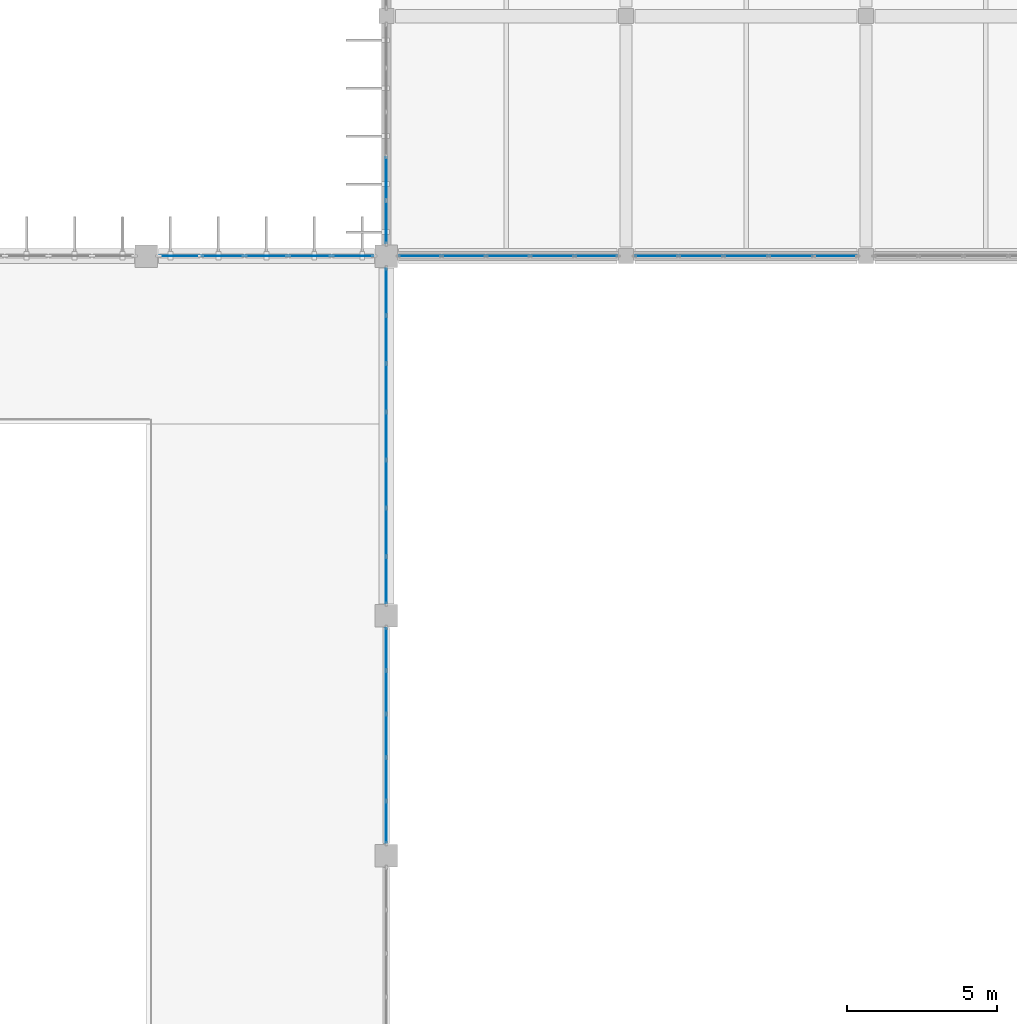
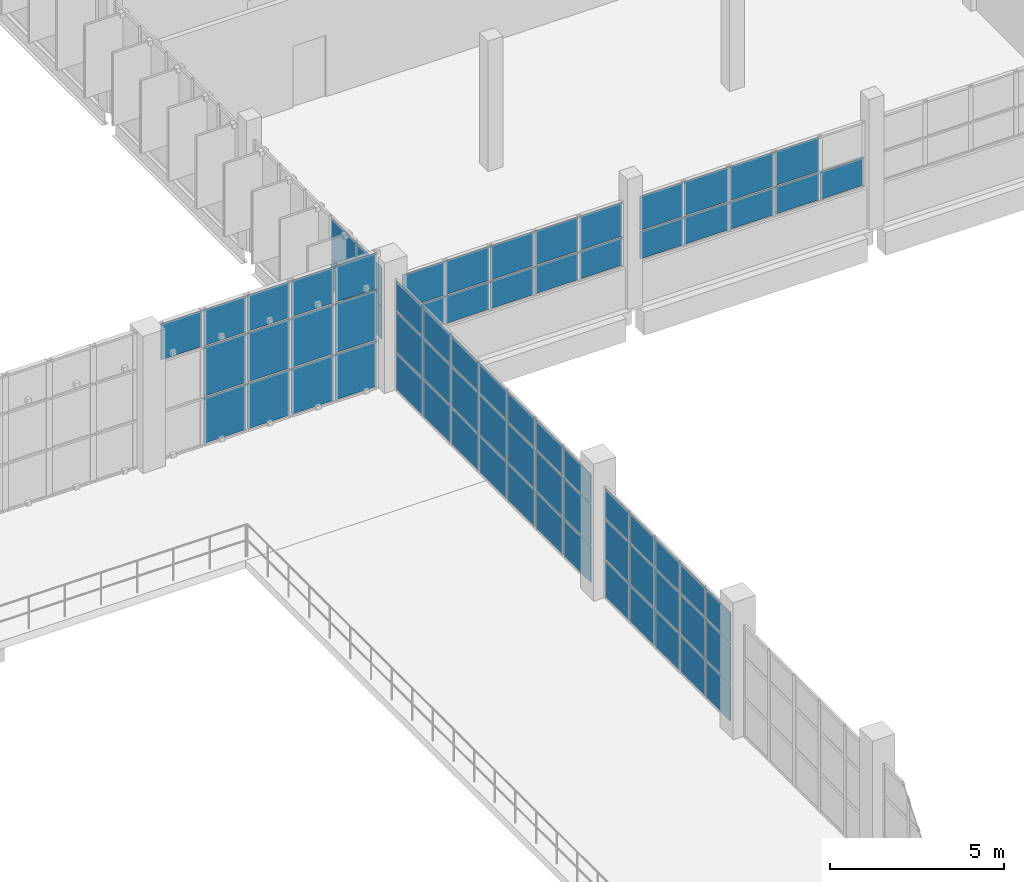
# One storey, part 57 of 93: 72 plates, 6 elements without a shape of their own.
"""IFC4 building model written with IfcOpenShell, lengths in metres."""

from ifc_helpers import new_model, si_unit, direction, frame, origin, origin_2d, place, context, subcontext, project, spatial, rectangle, extrude, material, layer, layer_set, type_object, element, aggregate, save


model = new_model("IFC4")

# Units and contexts
model_context = context("Model", 3, precision=1e-05, world=origin(), true_north=direction((0.0, 1.0)))
body_context = subcontext(model_context, "Body", "Model", "MODEL_VIEW")
ifc_project = project(units=[si_unit("LENGTHUNIT", "METRE"), si_unit("AREAUNIT", "SQUARE_METRE"), si_unit("VOLUMEUNIT", "CUBIC_METRE"), si_unit("PLANEANGLEUNIT", "RADIAN"), si_unit("MASSUNIT", "GRAM", prefix="KILO")], contexts=[model_context])

# Site, building, storey
site_placement = place(None, origin())
site = spatial("IfcSite", under=ifc_project, at=site_placement, CompositionType="ELEMENT")
building_placement = place(site_placement, origin())
building = spatial("IfcBuilding", under=site, at=building_placement, Name="Drelvana Railside Aquatics Centre", CompositionType="ELEMENT")
storey_placement = place(building_placement, frame((0.0, 0.0, 5.39990234375)))
storey = spatial("IfcBuildingStorey", under=building, at=storey_placement, Name="L01", CompositionType="ELEMENT", Elevation=5.39990234375)

# Curtain wall, plates
ifc_material_1 = material(Name="Bronze-anodised aluminium curtain wall", Category="aluminium")
ifc_layer_1 = layer(ifc_material_1, 0.179931640625, Name="Bronze-anodised aluminium curtain wall")
ifc_layer_set_1 = layer_set([ifc_layer_1], Name="Bronze-anodised aluminium curtain wall")
curtain_wall_type_1 = type_object("IfcCurtainWallType", Name="CW-Z2-CLER", PredefinedType="NOTDEFINED", material=ifc_layer_set_1)
curtain_wall_1_placement = place(storey_placement, origin())
curtain_wall_1 = element("IfcCurtainWall", 1, at=curtain_wall_1_placement, inside=storey, type_object=curtain_wall_type_1, Name="Curtain wall CW-02-026", PredefinedType="NOTDEFINED")
ifc_material_2 = material(Name="Double-glazed low-e solar-control glass", Category="glass")
ifc_layer_2 = layer(ifc_material_2, 0.028076171875, Name="Double-glazed low-e solar-control glass")
ifc_layer_set_2 = layer_set([ifc_layer_2], Name="Double-glazed low-e solar-control glass")
plate_type_1 = type_object("IfcPlateType", Name="CW-Z2-CLER-PAN", PredefinedType="CURTAIN_PANEL", material=ifc_layer_set_2)
plate_1_placement = place(storey_placement, frame((89.11279296875, 84.0, 3.474609375), z_axis=(0.0, 0.0, 1.0), x_axis=(1.0, 0.0, 0.0)))
plate_1 = element("IfcPlate", 2, at=plate_1_placement, type_object=plate_type_1, Name="CW-02 panel 1.3", PredefinedType="CURTAIN_PANEL", context=body_context, shape_type="SweptSolid", body=[
    extrude(rectangle(XDim=1.357421875, YDim=0.028076171875, at=origin_2d()), origin(), (0.0, 0.0, 1.0), 1.255615234375),
])
plate_2_placement = place(storey_placement, frame((90.547607421875, 84.0, 0.05419921875), z_axis=(0.0, 0.0, 1.0), x_axis=(1.0, 0.0, 0.0)))
plate_2 = element("IfcPlate", 3, at=plate_2_placement, type_object=plate_type_1, Name="CW-02 panel 2.1", PredefinedType="CURTAIN_PANEL", context=body_context, shape_type="SweptSolid", body=[
    extrude(rectangle(XDim=1.392333984375, YDim=0.028076171875, at=origin_2d()), origin(), (0.0, 0.0, 1.0), 1.591552734375),
])
plate_3_placement = place(storey_placement, frame((90.547607421875, 84.0, 1.70068359375), z_axis=(0.0, 0.0, 1.0), x_axis=(1.0, 0.0, 0.0)))
plate_3 = element("IfcPlate", 4, at=plate_3_placement, type_object=plate_type_1, Name="CW-02 panel 2.2", PredefinedType="CURTAIN_PANEL", context=body_context, shape_type="SweptSolid", body=[
    extrude(rectangle(XDim=1.392333984375, YDim=0.028076171875, at=origin_2d()), origin(), (0.0, 0.0, 1.0), 1.718994140625),
])
plate_4_placement = place(storey_placement, frame((90.547607421875, 84.0, 3.474609375), z_axis=(0.0, 0.0, 1.0), x_axis=(1.0, 0.0, 0.0)))
plate_4 = element("IfcPlate", 5, at=plate_4_placement, type_object=plate_type_1, Name="CW-02 panel 2.3", PredefinedType="CURTAIN_PANEL", context=body_context, shape_type="SweptSolid", body=[
    extrude(rectangle(XDim=1.392333984375, YDim=0.028076171875, at=origin_2d()), origin(), (0.0, 0.0, 1.0), 1.255615234375),
])
plate_5_placement = place(storey_placement, frame((92.0, 84.0, 0.05419921875), z_axis=(0.0, 0.0, 1.0), x_axis=(1.0, 0.0, 0.0)))
plate_5 = element("IfcPlate", 6, at=plate_5_placement, type_object=plate_type_1, Name="CW-02 panel 3.1", PredefinedType="CURTAIN_PANEL", context=body_context, shape_type="SweptSolid", body=[
    extrude(rectangle(XDim=1.392333984375, YDim=0.028076171875, at=origin_2d()), origin(), (0.0, 0.0, 1.0), 1.591552734375),
])
plate_6_placement = place(storey_placement, frame((92.0, 84.0, 1.70068359375), z_axis=(0.0, 0.0, 1.0), x_axis=(1.0, 0.0, 0.0)))
plate_6 = element("IfcPlate", 7, at=plate_6_placement, type_object=plate_type_1, Name="CW-02 panel 3.2", PredefinedType="CURTAIN_PANEL", context=body_context, shape_type="SweptSolid", body=[
    extrude(rectangle(XDim=1.392333984375, YDim=0.028076171875, at=origin_2d()), origin(), (0.0, 0.0, 1.0), 1.718994140625),
])
plate_7_placement = place(storey_placement, frame((92.0, 84.0, 3.474609375), z_axis=(0.0, 0.0, 1.0), x_axis=(1.0, 0.0, 0.0)))
plate_7 = element("IfcPlate", 8, at=plate_7_placement, type_object=plate_type_1, Name="CW-02 panel 3.3", PredefinedType="CURTAIN_PANEL", context=body_context, shape_type="SweptSolid", body=[
    extrude(rectangle(XDim=1.392333984375, YDim=0.028076171875, at=origin_2d()), origin(), (0.0, 0.0, 1.0), 1.255615234375),
])
plate_8_placement = place(storey_placement, frame((93.452392578125, 84.0, 0.05419921875), z_axis=(0.0, 0.0, 1.0), x_axis=(1.0, 0.0, 0.0)))
plate_8 = element("IfcPlate", 9, at=plate_8_placement, type_object=plate_type_1, Name="CW-02 panel 4.1", PredefinedType="CURTAIN_PANEL", context=body_context, shape_type="SweptSolid", body=[
    extrude(rectangle(XDim=1.392333984375, YDim=0.028076171875, at=origin_2d()), origin(), (0.0, 0.0, 1.0), 1.591552734375),
])
plate_9_placement = place(storey_placement, frame((93.452392578125, 84.0, 1.70068359375), z_axis=(0.0, 0.0, 1.0), x_axis=(1.0, 0.0, 0.0)))
plate_9 = element("IfcPlate", 10, at=plate_9_placement, type_object=plate_type_1, Name="CW-02 panel 4.2", PredefinedType="CURTAIN_PANEL", context=body_context, shape_type="SweptSolid", body=[
    extrude(rectangle(XDim=1.392333984375, YDim=0.028076171875, at=origin_2d()), origin(), (0.0, 0.0, 1.0), 1.718994140625),
])
plate_10_placement = place(storey_placement, frame((93.452392578125, 84.0, 3.474609375), z_axis=(0.0, 0.0, 1.0), x_axis=(1.0, 0.0, 0.0)))
plate_10 = element("IfcPlate", 11, at=plate_10_placement, type_object=plate_type_1, Name="CW-02 panel 4.3", PredefinedType="CURTAIN_PANEL", context=body_context, shape_type="SweptSolid", body=[
    extrude(rectangle(XDim=1.392333984375, YDim=0.028076171875, at=origin_2d()), origin(), (0.0, 0.0, 1.0), 1.255615234375),
])
plate_11_placement = place(storey_placement, frame((94.88720703125, 84.0, 0.05419921875), z_axis=(0.0, 0.0, 1.0), x_axis=(1.0, 0.0, 0.0)))
plate_11 = element("IfcPlate", 12, at=plate_11_placement, type_object=plate_type_1, Name="CW-02 panel 5.1", PredefinedType="CURTAIN_PANEL", context=body_context, shape_type="SweptSolid", body=[
    extrude(rectangle(XDim=1.357421875, YDim=0.028076171875, at=origin_2d()), origin(), (0.0, 0.0, 1.0), 1.591552734375),
])
plate_12_placement = place(storey_placement, frame((94.88720703125, 84.0, 1.70068359375), z_axis=(0.0, 0.0, 1.0), x_axis=(1.0, 0.0, 0.0)))
plate_12 = element("IfcPlate", 13, at=plate_12_placement, type_object=plate_type_1, Name="CW-02 panel 5.2", PredefinedType="CURTAIN_PANEL", context=body_context, shape_type="SweptSolid", body=[
    extrude(rectangle(XDim=1.357421875, YDim=0.028076171875, at=origin_2d()), origin(), (0.0, 0.0, 1.0), 1.718994140625),
])
plate_13_placement = place(storey_placement, frame((94.88720703125, 84.0, 3.474609375), z_axis=(0.0, 0.0, 1.0), x_axis=(1.0, 0.0, 0.0)))
plate_13 = element("IfcPlate", 14, at=plate_13_placement, type_object=plate_type_1, Name="CW-02 panel 5.3", PredefinedType="CURTAIN_PANEL", context=body_context, shape_type="SweptSolid", body=[
    extrude(rectangle(XDim=1.357421875, YDim=0.028076171875, at=origin_2d()), origin(), (0.0, 0.0, 1.0), 1.255615234375),
])
aggregate(curtain_wall_1, [plate_1, plate_2, plate_3, plate_4, plate_5, plate_6, plate_7, plate_8, plate_9, plate_10, plate_11, plate_12, plate_13])

ifc_layer_3 = layer(ifc_material_1, 0.1650390625, Name="Bronze-anodised aluminium curtain wall")
ifc_layer_set_3 = layer_set([ifc_layer_3], Name="Bronze-anodised aluminium curtain wall")
curtain_wall_type_2 = type_object("IfcCurtainWallType", Name="CW-Z5-COURT", PredefinedType="NOTDEFINED", material=ifc_layer_set_3)
curtain_wall_2_placement = place(storey_placement, origin())
curtain_wall_2 = element("IfcCurtainWall", 15, at=curtain_wall_2_placement, inside=storey, type_object=curtain_wall_type_2, Name="Curtain wall CW-05-075", PredefinedType="NOTDEFINED")
ifc_layer_4 = layer(ifc_material_2, 0.02587890625, Name="Double-glazed low-e solar-control glass")
ifc_layer_set_4 = layer_set([ifc_layer_4], Name="Double-glazed low-e solar-control glass")
plate_type_2 = type_object("IfcPlateType", Name="CW-Z5-COURT-PAN", PredefinedType="CURTAIN_PANEL", material=ifc_layer_set_4)
plate_14_placement = place(storey_placement, frame((96.0, 65.110107421875, 0.049072265625), z_axis=(0.0, 0.0, 1.0), x_axis=(0.0, 1.0, 0.0)))
plate_14 = element("IfcPlate", 16, at=plate_14_placement, type_object=plate_type_2, Name="CW-05 panel 1.1", PredefinedType="CURTAIN_PANEL", context=body_context, shape_type="SweptSolid", body=[
    extrude(rectangle(XDim=1.372314453125, YDim=0.02587890625, at=origin_2d()), origin(), (0.0, 0.0, 1.0), 1.287109375),
])
plate_15_placement = place(storey_placement, frame((96.0, 65.110107421875, 1.385986328125), z_axis=(0.0, 0.0, 1.0), x_axis=(0.0, 1.0, 0.0)))
plate_15 = element("IfcPlate", 17, at=plate_15_placement, type_object=plate_type_2, Name="CW-05 panel 1.2", PredefinedType="CURTAIN_PANEL", context=body_context, shape_type="SweptSolid", body=[
    extrude(rectangle(XDim=1.372314453125, YDim=0.02587890625, at=origin_2d()), origin(), (0.0, 0.0, 1.0), 1.39501953125),
])
plate_16_placement = place(storey_placement, frame((96.0, 65.110107421875, 2.8310546875), z_axis=(0.0, 0.0, 1.0), x_axis=(0.0, 1.0, 0.0)))
plate_16 = element("IfcPlate", 18, at=plate_16_placement, type_object=plate_type_2, Name="CW-05 panel 1.3", PredefinedType="CURTAIN_PANEL", context=body_context, shape_type="SweptSolid", body=[
    extrude(rectangle(XDim=1.372314453125, YDim=0.02587890625, at=origin_2d()), origin(), (0.0, 0.0, 1.0), 1.013916015625),
])
plate_17_placement = place(storey_placement, frame((96.0, 66.547607421875, 0.049072265625), z_axis=(0.0, 0.0, 1.0), x_axis=(0.0, 1.0, 0.0)))
plate_17 = element("IfcPlate", 19, at=plate_17_placement, type_object=plate_type_2, Name="CW-05 panel 2.1", PredefinedType="CURTAIN_PANEL", context=body_context, shape_type="SweptSolid", body=[
    extrude(rectangle(XDim=1.40234375, YDim=0.02587890625, at=origin_2d()), origin(), (0.0, 0.0, 1.0), 1.287109375),
])
plate_18_placement = place(storey_placement, frame((96.0, 66.547607421875, 1.385986328125), z_axis=(0.0, 0.0, 1.0), x_axis=(0.0, 1.0, 0.0)))
plate_18 = element("IfcPlate", 20, at=plate_18_placement, type_object=plate_type_2, Name="CW-05 panel 2.2", PredefinedType="CURTAIN_PANEL", context=body_context, shape_type="SweptSolid", body=[
    extrude(rectangle(XDim=1.40234375, YDim=0.02587890625, at=origin_2d()), origin(), (0.0, 0.0, 1.0), 1.39501953125),
])
plate_19_placement = place(storey_placement, frame((96.0, 66.547607421875, 2.8310546875), z_axis=(0.0, 0.0, 1.0), x_axis=(0.0, 1.0, 0.0)))
plate_19 = element("IfcPlate", 21, at=plate_19_placement, type_object=plate_type_2, Name="CW-05 panel 2.3", PredefinedType="CURTAIN_PANEL", context=body_context, shape_type="SweptSolid", body=[
    extrude(rectangle(XDim=1.40234375, YDim=0.02587890625, at=origin_2d()), origin(), (0.0, 0.0, 1.0), 1.013916015625),
])
plate_20_placement = place(storey_placement, frame((96.0, 68.0, 0.049072265625), z_axis=(0.0, 0.0, 1.0), x_axis=(0.0, 1.0, 0.0)))
plate_20 = element("IfcPlate", 22, at=plate_20_placement, type_object=plate_type_2, Name="CW-05 panel 3.1", PredefinedType="CURTAIN_PANEL", context=body_context, shape_type="SweptSolid", body=[
    extrude(rectangle(XDim=1.40234375, YDim=0.02587890625, at=origin_2d()), origin(), (0.0, 0.0, 1.0), 1.287109375),
])
plate_21_placement = place(storey_placement, frame((96.0, 68.0, 1.385986328125), z_axis=(0.0, 0.0, 1.0), x_axis=(0.0, 1.0, 0.0)))
plate_21 = element("IfcPlate", 23, at=plate_21_placement, type_object=plate_type_2, Name="CW-05 panel 3.2", PredefinedType="CURTAIN_PANEL", context=body_context, shape_type="SweptSolid", body=[
    extrude(rectangle(XDim=1.40234375, YDim=0.02587890625, at=origin_2d()), origin(), (0.0, 0.0, 1.0), 1.39501953125),
])
plate_22_placement = place(storey_placement, frame((96.0, 68.0, 2.8310546875), z_axis=(0.0, 0.0, 1.0), x_axis=(0.0, 1.0, 0.0)))
plate_22 = element("IfcPlate", 24, at=plate_22_placement, type_object=plate_type_2, Name="CW-05 panel 3.3", PredefinedType="CURTAIN_PANEL", context=body_context, shape_type="SweptSolid", body=[
    extrude(rectangle(XDim=1.40234375, YDim=0.02587890625, at=origin_2d()), origin(), (0.0, 0.0, 1.0), 1.013916015625),
])
plate_23_placement = place(storey_placement, frame((96.0, 69.452392578125, 0.049072265625), z_axis=(0.0, 0.0, 1.0), x_axis=(0.0, 1.0, 0.0)))
plate_23 = element("IfcPlate", 25, at=plate_23_placement, type_object=plate_type_2, Name="CW-05 panel 4.1", PredefinedType="CURTAIN_PANEL", context=body_context, shape_type="SweptSolid", body=[
    extrude(rectangle(XDim=1.40234375, YDim=0.02587890625, at=origin_2d()), origin(), (0.0, 0.0, 1.0), 1.287109375),
])
plate_24_placement = place(storey_placement, frame((96.0, 69.452392578125, 1.385986328125), z_axis=(0.0, 0.0, 1.0), x_axis=(0.0, 1.0, 0.0)))
plate_24 = element("IfcPlate", 26, at=plate_24_placement, type_object=plate_type_2, Name="CW-05 panel 4.2", PredefinedType="CURTAIN_PANEL", context=body_context, shape_type="SweptSolid", body=[
    extrude(rectangle(XDim=1.40234375, YDim=0.02587890625, at=origin_2d()), origin(), (0.0, 0.0, 1.0), 1.39501953125),
])
plate_25_placement = place(storey_placement, frame((96.0, 69.452392578125, 2.8310546875), z_axis=(0.0, 0.0, 1.0), x_axis=(0.0, 1.0, 0.0)))
plate_25 = element("IfcPlate", 27, at=plate_25_placement, type_object=plate_type_2, Name="CW-05 panel 4.3", PredefinedType="CURTAIN_PANEL", context=body_context, shape_type="SweptSolid", body=[
    extrude(rectangle(XDim=1.40234375, YDim=0.02587890625, at=origin_2d()), origin(), (0.0, 0.0, 1.0), 1.013916015625),
])
plate_26_placement = place(storey_placement, frame((96.0, 70.889892578125, 0.049072265625), z_axis=(0.0, 0.0, 1.0), x_axis=(0.0, 1.0, 0.0)))
plate_26 = element("IfcPlate", 28, at=plate_26_placement, type_object=plate_type_2, Name="CW-05 panel 5.1", PredefinedType="CURTAIN_PANEL", context=body_context, shape_type="SweptSolid", body=[
    extrude(rectangle(XDim=1.372314453125, YDim=0.02587890625, at=origin_2d()), origin(), (0.0, 0.0, 1.0), 1.287109375),
])
plate_27_placement = place(storey_placement, frame((96.0, 70.889892578125, 1.385986328125), z_axis=(0.0, 0.0, 1.0), x_axis=(0.0, 1.0, 0.0)))
plate_27 = element("IfcPlate", 29, at=plate_27_placement, type_object=plate_type_2, Name="CW-05 panel 5.2", PredefinedType="CURTAIN_PANEL", context=body_context, shape_type="SweptSolid", body=[
    extrude(rectangle(XDim=1.372314453125, YDim=0.02587890625, at=origin_2d()), origin(), (0.0, 0.0, 1.0), 1.39501953125),
])
plate_28_placement = place(storey_placement, frame((96.0, 70.889892578125, 2.8310546875), z_axis=(0.0, 0.0, 1.0), x_axis=(0.0, 1.0, 0.0)))
plate_28 = element("IfcPlate", 30, at=plate_28_placement, type_object=plate_type_2, Name="CW-05 panel 5.3", PredefinedType="CURTAIN_PANEL", context=body_context, shape_type="SweptSolid", body=[
    extrude(rectangle(XDim=1.372314453125, YDim=0.02587890625, at=origin_2d()), origin(), (0.0, 0.0, 1.0), 1.013916015625),
])
aggregate(curtain_wall_2, [plate_14, plate_15, plate_16, plate_17, plate_18, plate_19, plate_20, plate_21, plate_22, plate_23, plate_24, plate_25, plate_26, plate_27, plate_28])

curtain_wall_3_placement = place(storey_placement, origin())
curtain_wall_3 = element("IfcCurtainWall", 31, at=curtain_wall_3_placement, inside=storey, type_object=curtain_wall_type_2, Name="Curtain wall CW-05-079", PredefinedType="NOTDEFINED")
plate_29_placement = place(storey_placement, frame((96.0, 73.1884765625, 0.049072265625), z_axis=(0.0, 0.0, 1.0), x_axis=(0.0, 1.0, 0.0)))
plate_29 = element("IfcPlate", 32, at=plate_29_placement, type_object=plate_type_2, Name="CW-05 panel 1.1", PredefinedType="CURTAIN_PANEL", context=body_context, shape_type="SweptSolid", body=[
    extrude(rectangle(XDim=1.52880859375, YDim=0.02587890625, at=origin_2d()), origin(), (0.0, 0.0, 1.0), 1.287109375),
])
plate_30_placement = place(storey_placement, frame((96.0, 73.1884765625, 1.385986328125), z_axis=(0.0, 0.0, 1.0), x_axis=(0.0, 1.0, 0.0)))
plate_30 = element("IfcPlate", 33, at=plate_30_placement, type_object=plate_type_2, Name="CW-05 panel 1.2", PredefinedType="CURTAIN_PANEL", context=body_context, shape_type="SweptSolid", body=[
    extrude(rectangle(XDim=1.52880859375, YDim=0.02587890625, at=origin_2d()), origin(), (0.0, 0.0, 1.0), 1.39501953125),
])
plate_31_placement = place(storey_placement, frame((96.0, 73.1884765625, 2.8310546875), z_axis=(0.0, 0.0, 1.0), x_axis=(0.0, 1.0, 0.0)))
plate_31 = element("IfcPlate", 34, at=plate_31_placement, type_object=plate_type_2, Name="CW-05 panel 1.3", PredefinedType="CURTAIN_PANEL", context=body_context, shape_type="SweptSolid", body=[
    extrude(rectangle(XDim=1.52880859375, YDim=0.02587890625, at=origin_2d()), origin(), (0.0, 0.0, 1.0), 1.013916015625),
])
plate_32_placement = place(storey_placement, frame((96.0, 74.7822265625, 0.049072265625), z_axis=(0.0, 0.0, 1.0), x_axis=(0.0, 1.0, 0.0)))
plate_32 = element("IfcPlate", 35, at=plate_32_placement, type_object=plate_type_2, Name="CW-05 panel 2.1", PredefinedType="CURTAIN_PANEL", context=body_context, shape_type="SweptSolid", body=[
    extrude(rectangle(XDim=1.558837890625, YDim=0.02587890625, at=origin_2d()), origin(), (0.0, 0.0, 1.0), 1.287109375),
])
plate_33_placement = place(storey_placement, frame((96.0, 74.7822265625, 1.385986328125), z_axis=(0.0, 0.0, 1.0), x_axis=(0.0, 1.0, 0.0)))
plate_33 = element("IfcPlate", 36, at=plate_33_placement, type_object=plate_type_2, Name="CW-05 panel 2.2", PredefinedType="CURTAIN_PANEL", context=body_context, shape_type="SweptSolid", body=[
    extrude(rectangle(XDim=1.558837890625, YDim=0.02587890625, at=origin_2d()), origin(), (0.0, 0.0, 1.0), 1.39501953125),
])
plate_34_placement = place(storey_placement, frame((96.0, 74.7822265625, 2.8310546875), z_axis=(0.0, 0.0, 1.0), x_axis=(0.0, 1.0, 0.0)))
plate_34 = element("IfcPlate", 37, at=plate_34_placement, type_object=plate_type_2, Name="CW-05 panel 2.3", PredefinedType="CURTAIN_PANEL", context=body_context, shape_type="SweptSolid", body=[
    extrude(rectangle(XDim=1.558837890625, YDim=0.02587890625, at=origin_2d()), origin(), (0.0, 0.0, 1.0), 1.013916015625),
])
plate_35_placement = place(storey_placement, frame((96.0, 76.39111328125, 0.049072265625), z_axis=(0.0, 0.0, 1.0), x_axis=(0.0, 1.0, 0.0)))
plate_35 = element("IfcPlate", 38, at=plate_35_placement, type_object=plate_type_2, Name="CW-05 panel 3.1", PredefinedType="CURTAIN_PANEL", context=body_context, shape_type="SweptSolid", body=[
    extrude(rectangle(XDim=1.558837890625, YDim=0.02587890625, at=origin_2d()), origin(), (0.0, 0.0, 1.0), 1.287109375),
])
plate_36_placement = place(storey_placement, frame((96.0, 76.39111328125, 1.385986328125), z_axis=(0.0, 0.0, 1.0), x_axis=(0.0, 1.0, 0.0)))
plate_36 = element("IfcPlate", 39, at=plate_36_placement, type_object=plate_type_2, Name="CW-05 panel 3.2", PredefinedType="CURTAIN_PANEL", context=body_context, shape_type="SweptSolid", body=[
    extrude(rectangle(XDim=1.558837890625, YDim=0.02587890625, at=origin_2d()), origin(), (0.0, 0.0, 1.0), 1.39501953125),
])
plate_37_placement = place(storey_placement, frame((96.0, 76.39111328125, 2.8310546875), z_axis=(0.0, 0.0, 1.0), x_axis=(0.0, 1.0, 0.0)))
plate_37 = element("IfcPlate", 40, at=plate_37_placement, type_object=plate_type_2, Name="CW-05 panel 3.3", PredefinedType="CURTAIN_PANEL", context=body_context, shape_type="SweptSolid", body=[
    extrude(rectangle(XDim=1.558837890625, YDim=0.02587890625, at=origin_2d()), origin(), (0.0, 0.0, 1.0), 1.013916015625),
])
plate_38_placement = place(storey_placement, frame((96.0, 78.0, 0.049072265625), z_axis=(0.0, 0.0, 1.0), x_axis=(0.0, 1.0, 0.0)))
plate_38 = element("IfcPlate", 41, at=plate_38_placement, type_object=plate_type_2, Name="CW-05 panel 4.1", PredefinedType="CURTAIN_PANEL", context=body_context, shape_type="SweptSolid", body=[
    extrude(rectangle(XDim=1.558837890625, YDim=0.02587890625, at=origin_2d()), origin(), (0.0, 0.0, 1.0), 1.287109375),
])
plate_39_placement = place(storey_placement, frame((96.0, 78.0, 1.385986328125), z_axis=(0.0, 0.0, 1.0), x_axis=(0.0, 1.0, 0.0)))
plate_39 = element("IfcPlate", 42, at=plate_39_placement, type_object=plate_type_2, Name="CW-05 panel 4.2", PredefinedType="CURTAIN_PANEL", context=body_context, shape_type="SweptSolid", body=[
    extrude(rectangle(XDim=1.558837890625, YDim=0.02587890625, at=origin_2d()), origin(), (0.0, 0.0, 1.0), 1.39501953125),
])
plate_40_placement = place(storey_placement, frame((96.0, 78.0, 2.8310546875), z_axis=(0.0, 0.0, 1.0), x_axis=(0.0, 1.0, 0.0)))
plate_40 = element("IfcPlate", 43, at=plate_40_placement, type_object=plate_type_2, Name="CW-05 panel 4.3", PredefinedType="CURTAIN_PANEL", context=body_context, shape_type="SweptSolid", body=[
    extrude(rectangle(XDim=1.558837890625, YDim=0.02587890625, at=origin_2d()), origin(), (0.0, 0.0, 1.0), 1.013916015625),
])
plate_41_placement = place(storey_placement, frame((96.0, 79.60888671875, 0.049072265625), z_axis=(0.0, 0.0, 1.0), x_axis=(0.0, 1.0, 0.0)))
plate_41 = element("IfcPlate", 44, at=plate_41_placement, type_object=plate_type_2, Name="CW-05 panel 5.1", PredefinedType="CURTAIN_PANEL", context=body_context, shape_type="SweptSolid", body=[
    extrude(rectangle(XDim=1.558837890625, YDim=0.02587890625, at=origin_2d()), origin(), (0.0, 0.0, 1.0), 1.287109375),
])
plate_42_placement = place(storey_placement, frame((96.0, 79.60888671875, 1.385986328125), z_axis=(0.0, 0.0, 1.0), x_axis=(0.0, 1.0, 0.0)))
plate_42 = element("IfcPlate", 45, at=plate_42_placement, type_object=plate_type_2, Name="CW-05 panel 5.2", PredefinedType="CURTAIN_PANEL", context=body_context, shape_type="SweptSolid", body=[
    extrude(rectangle(XDim=1.558837890625, YDim=0.02587890625, at=origin_2d()), origin(), (0.0, 0.0, 1.0), 1.39501953125),
])
plate_43_placement = place(storey_placement, frame((96.0, 79.60888671875, 2.8310546875), z_axis=(0.0, 0.0, 1.0), x_axis=(0.0, 1.0, 0.0)))
plate_43 = element("IfcPlate", 46, at=plate_43_placement, type_object=plate_type_2, Name="CW-05 panel 5.3", PredefinedType="CURTAIN_PANEL", context=body_context, shape_type="SweptSolid", body=[
    extrude(rectangle(XDim=1.558837890625, YDim=0.02587890625, at=origin_2d()), origin(), (0.0, 0.0, 1.0), 1.013916015625),
])
plate_44_placement = place(storey_placement, frame((96.0, 81.2177734375, 0.049072265625), z_axis=(0.0, 0.0, 1.0), x_axis=(0.0, 1.0, 0.0)))
plate_44 = element("IfcPlate", 47, at=plate_44_placement, type_object=plate_type_2, Name="CW-05 panel 6.1", PredefinedType="CURTAIN_PANEL", context=body_context, shape_type="SweptSolid", body=[
    extrude(rectangle(XDim=1.558837890625, YDim=0.02587890625, at=origin_2d()), origin(), (0.0, 0.0, 1.0), 1.287109375),
])
plate_45_placement = place(storey_placement, frame((96.0, 81.2177734375, 1.385986328125), z_axis=(0.0, 0.0, 1.0), x_axis=(0.0, 1.0, 0.0)))
plate_45 = element("IfcPlate", 48, at=plate_45_placement, type_object=plate_type_2, Name="CW-05 panel 6.2", PredefinedType="CURTAIN_PANEL", context=body_context, shape_type="SweptSolid", body=[
    extrude(rectangle(XDim=1.558837890625, YDim=0.02587890625, at=origin_2d()), origin(), (0.0, 0.0, 1.0), 1.39501953125),
])
plate_46_placement = place(storey_placement, frame((96.0, 81.2177734375, 2.8310546875), z_axis=(0.0, 0.0, 1.0), x_axis=(0.0, 1.0, 0.0)))
plate_46 = element("IfcPlate", 49, at=plate_46_placement, type_object=plate_type_2, Name="CW-05 panel 6.3", PredefinedType="CURTAIN_PANEL", context=body_context, shape_type="SweptSolid", body=[
    extrude(rectangle(XDim=1.558837890625, YDim=0.02587890625, at=origin_2d()), origin(), (0.0, 0.0, 1.0), 1.013916015625),
])
plate_47_placement = place(storey_placement, frame((96.0, 82.8115234375, 0.049072265625), z_axis=(0.0, 0.0, 1.0), x_axis=(0.0, 1.0, 0.0)))
plate_47 = element("IfcPlate", 50, at=plate_47_placement, type_object=plate_type_2, Name="CW-05 panel 7.1", PredefinedType="CURTAIN_PANEL", context=body_context, shape_type="SweptSolid", body=[
    extrude(rectangle(XDim=1.52880859375, YDim=0.02587890625, at=origin_2d()), origin(), (0.0, 0.0, 1.0), 1.287109375),
])
plate_48_placement = place(storey_placement, frame((96.0, 82.8115234375, 1.385986328125), z_axis=(0.0, 0.0, 1.0), x_axis=(0.0, 1.0, 0.0)))
plate_48 = element("IfcPlate", 51, at=plate_48_placement, type_object=plate_type_2, Name="CW-05 panel 7.2", PredefinedType="CURTAIN_PANEL", context=body_context, shape_type="SweptSolid", body=[
    extrude(rectangle(XDim=1.52880859375, YDim=0.02587890625, at=origin_2d()), origin(), (0.0, 0.0, 1.0), 1.39501953125),
])
plate_49_placement = place(storey_placement, frame((96.0, 82.8115234375, 2.8310546875), z_axis=(0.0, 0.0, 1.0), x_axis=(0.0, 1.0, 0.0)))
plate_49 = element("IfcPlate", 52, at=plate_49_placement, type_object=plate_type_2, Name="CW-05 panel 7.3", PredefinedType="CURTAIN_PANEL", context=body_context, shape_type="SweptSolid", body=[
    extrude(rectangle(XDim=1.52880859375, YDim=0.02587890625, at=origin_2d()), origin(), (0.0, 0.0, 1.0), 1.013916015625),
])
aggregate(curtain_wall_3, [plate_29, plate_30, plate_31, plate_32, plate_33, plate_34, plate_35, plate_36, plate_37, plate_38, plate_39, plate_40, plate_41, plate_42, plate_43, plate_44, plate_45, plate_46, plate_47, plate_48, plate_49])

curtain_wall_4_placement = place(storey_placement, origin())
curtain_wall_4 = element("IfcCurtainWall", 53, at=curtain_wall_4_placement, inside=storey, type_object=curtain_wall_type_2, Name="Curtain wall CW-05-116", PredefinedType="NOTDEFINED")
plate_50_placement = place(storey_placement, frame((97.122802734375, 84.0, 1.448974609375), z_axis=(0.0, 0.0, 1.0), x_axis=(1.0, 0.0, 0.0)))
plate_50 = element("IfcPlate", 54, at=plate_50_placement, type_object=plate_type_2, Name="CW-05 panel 1.1", PredefinedType="CURTAIN_PANEL", context=body_context, shape_type="SweptSolid", body=[
    extrude(rectangle(XDim=1.3974609375, YDim=0.02587890625, at=origin_2d()), origin(), (0.0, 0.0, 1.0), 0.9580078125),
])
plate_51_placement = place(storey_placement, frame((97.122802734375, 84.0, 2.45703125), z_axis=(0.0, 0.0, 1.0), x_axis=(1.0, 0.0, 0.0)))
plate_51 = element("IfcPlate", 55, at=plate_51_placement, type_object=plate_type_2, Name="CW-05 panel 1.2", PredefinedType="CURTAIN_PANEL", context=body_context, shape_type="SweptSolid", body=[
    extrude(rectangle(XDim=1.3974609375, YDim=0.02587890625, at=origin_2d()), origin(), (0.0, 0.0, 1.0), 1.18798828125),
])
plate_52_placement = place(storey_placement, frame((98.585205078125, 84.0, 1.448974609375), z_axis=(0.0, 0.0, 1.0), x_axis=(1.0, 0.0, 0.0)))
plate_52 = element("IfcPlate", 56, at=plate_52_placement, type_object=plate_type_2, Name="CW-05 panel 2.1", PredefinedType="CURTAIN_PANEL", context=body_context, shape_type="SweptSolid", body=[
    extrude(rectangle(XDim=1.427490234375, YDim=0.02587890625, at=origin_2d()), origin(), (0.0, 0.0, 1.0), 0.9580078125),
])
plate_53_placement = place(storey_placement, frame((98.585205078125, 84.0, 2.45703125), z_axis=(0.0, 0.0, 1.0), x_axis=(1.0, 0.0, 0.0)))
plate_53 = element("IfcPlate", 57, at=plate_53_placement, type_object=plate_type_2, Name="CW-05 panel 2.2", PredefinedType="CURTAIN_PANEL", context=body_context, shape_type="SweptSolid", body=[
    extrude(rectangle(XDim=1.427490234375, YDim=0.02587890625, at=origin_2d()), origin(), (0.0, 0.0, 1.0), 1.18798828125),
])
plate_54_placement = place(storey_placement, frame((100.0625, 84.0, 1.448974609375), z_axis=(0.0, 0.0, 1.0), x_axis=(1.0, 0.0, 0.0)))
plate_54 = element("IfcPlate", 58, at=plate_54_placement, type_object=plate_type_2, Name="CW-05 panel 3.1", PredefinedType="CURTAIN_PANEL", context=body_context, shape_type="SweptSolid", body=[
    extrude(rectangle(XDim=1.427490234375, YDim=0.02587890625, at=origin_2d()), origin(), (0.0, 0.0, 1.0), 0.9580078125),
])
plate_55_placement = place(storey_placement, frame((100.0625, 84.0, 2.45703125), z_axis=(0.0, 0.0, 1.0), x_axis=(1.0, 0.0, 0.0)))
plate_55 = element("IfcPlate", 59, at=plate_55_placement, type_object=plate_type_2, Name="CW-05 panel 3.2", PredefinedType="CURTAIN_PANEL", context=body_context, shape_type="SweptSolid", body=[
    extrude(rectangle(XDim=1.427490234375, YDim=0.02587890625, at=origin_2d()), origin(), (0.0, 0.0, 1.0), 1.18798828125),
])
plate_56_placement = place(storey_placement, frame((101.539794921875, 84.0, 1.448974609375), z_axis=(0.0, 0.0, 1.0), x_axis=(1.0, 0.0, 0.0)))
plate_56 = element("IfcPlate", 60, at=plate_56_placement, type_object=plate_type_2, Name="CW-05 panel 4.1", PredefinedType="CURTAIN_PANEL", context=body_context, shape_type="SweptSolid", body=[
    extrude(rectangle(XDim=1.427490234375, YDim=0.02587890625, at=origin_2d()), origin(), (0.0, 0.0, 1.0), 0.9580078125),
])
plate_57_placement = place(storey_placement, frame((101.539794921875, 84.0, 2.45703125), z_axis=(0.0, 0.0, 1.0), x_axis=(1.0, 0.0, 0.0)))
plate_57 = element("IfcPlate", 61, at=plate_57_placement, type_object=plate_type_2, Name="CW-05 panel 4.2", PredefinedType="CURTAIN_PANEL", context=body_context, shape_type="SweptSolid", body=[
    extrude(rectangle(XDim=1.427490234375, YDim=0.02587890625, at=origin_2d()), origin(), (0.0, 0.0, 1.0), 1.18798828125),
])
plate_58_placement = place(storey_placement, frame((103.002197265625, 84.0, 1.448974609375), z_axis=(0.0, 0.0, 1.0), x_axis=(1.0, 0.0, 0.0)))
plate_58 = element("IfcPlate", 62, at=plate_58_placement, type_object=plate_type_2, Name="CW-05 panel 5.1", PredefinedType="CURTAIN_PANEL", context=body_context, shape_type="SweptSolid", body=[
    extrude(rectangle(XDim=1.3974609375, YDim=0.02587890625, at=origin_2d()), origin(), (0.0, 0.0, 1.0), 0.9580078125),
])
plate_59_placement = place(storey_placement, frame((103.002197265625, 84.0, 2.45703125), z_axis=(0.0, 0.0, 1.0), x_axis=(1.0, 0.0, 0.0)))
plate_59 = element("IfcPlate", 63, at=plate_59_placement, type_object=plate_type_2, Name="CW-05 panel 5.2", PredefinedType="CURTAIN_PANEL", context=body_context, shape_type="SweptSolid", body=[
    extrude(rectangle(XDim=1.3974609375, YDim=0.02587890625, at=origin_2d()), origin(), (0.0, 0.0, 1.0), 1.18798828125),
])
aggregate(curtain_wall_4, [plate_50, plate_51, plate_52, plate_53, plate_54, plate_55, plate_56, plate_57, plate_58, plate_59])

curtain_wall_5_placement = place(storey_placement, origin())
curtain_wall_5 = element("IfcCurtainWall", 64, at=curtain_wall_5_placement, inside=storey, type_object=curtain_wall_type_2, Name="Curtain wall CW-05-118", PredefinedType="NOTDEFINED")
plate_60_placement = place(storey_placement, frame((105.01025390625, 84.0, 1.448974609375), z_axis=(0.0, 0.0, 1.0), x_axis=(1.0, 0.0, 0.0)))
plate_60 = element("IfcPlate", 65, at=plate_60_placement, type_object=plate_type_2, Name="CW-05 panel 1.1", PredefinedType="CURTAIN_PANEL", context=body_context, shape_type="SweptSolid", body=[
    extrude(rectangle(XDim=1.42236328125, YDim=0.02587890625, at=origin_2d()), origin(), (0.0, 0.0, 1.0), 0.9580078125),
])
plate_61_placement = place(storey_placement, frame((105.01025390625, 84.0, 2.45703125), z_axis=(0.0, 0.0, 1.0), x_axis=(1.0, 0.0, 0.0)))
plate_61 = element("IfcPlate", 66, at=plate_61_placement, type_object=plate_type_2, Name="CW-05 panel 1.2", PredefinedType="CURTAIN_PANEL", context=body_context, shape_type="SweptSolid", body=[
    extrude(rectangle(XDim=1.42236328125, YDim=0.02587890625, at=origin_2d()), origin(), (0.0, 0.0, 1.0), 1.18798828125),
])
plate_62_placement = place(storey_placement, frame((106.49755859375, 84.0, 1.448974609375), z_axis=(0.0, 0.0, 1.0), x_axis=(1.0, 0.0, 0.0)))
plate_62 = element("IfcPlate", 67, at=plate_62_placement, type_object=plate_type_2, Name="CW-05 panel 2.1", PredefinedType="CURTAIN_PANEL", context=body_context, shape_type="SweptSolid", body=[
    extrude(rectangle(XDim=1.452392578125, YDim=0.02587890625, at=origin_2d()), origin(), (0.0, 0.0, 1.0), 0.9580078125),
])
plate_63_placement = place(storey_placement, frame((106.49755859375, 84.0, 2.45703125), z_axis=(0.0, 0.0, 1.0), x_axis=(1.0, 0.0, 0.0)))
plate_63 = element("IfcPlate", 68, at=plate_63_placement, type_object=plate_type_2, Name="CW-05 panel 2.2", PredefinedType="CURTAIN_PANEL", context=body_context, shape_type="SweptSolid", body=[
    extrude(rectangle(XDim=1.452392578125, YDim=0.02587890625, at=origin_2d()), origin(), (0.0, 0.0, 1.0), 1.18798828125),
])
plate_64_placement = place(storey_placement, frame((108.0, 84.0, 1.448974609375), z_axis=(0.0, 0.0, 1.0), x_axis=(1.0, 0.0, 0.0)))
plate_64 = element("IfcPlate", 69, at=plate_64_placement, type_object=plate_type_2, Name="CW-05 panel 3.1", PredefinedType="CURTAIN_PANEL", context=body_context, shape_type="SweptSolid", body=[
    extrude(rectangle(XDim=1.452392578125, YDim=0.02587890625, at=origin_2d()), origin(), (0.0, 0.0, 1.0), 0.9580078125),
])
plate_65_placement = place(storey_placement, frame((108.0, 84.0, 2.45703125), z_axis=(0.0, 0.0, 1.0), x_axis=(1.0, 0.0, 0.0)))
plate_65 = element("IfcPlate", 70, at=plate_65_placement, type_object=plate_type_2, Name="CW-05 panel 3.2", PredefinedType="CURTAIN_PANEL", context=body_context, shape_type="SweptSolid", body=[
    extrude(rectangle(XDim=1.452392578125, YDim=0.02587890625, at=origin_2d()), origin(), (0.0, 0.0, 1.0), 1.18798828125),
])
plate_66_placement = place(storey_placement, frame((109.50244140625, 84.0, 1.448974609375), z_axis=(0.0, 0.0, 1.0), x_axis=(1.0, 0.0, 0.0)))
plate_66 = element("IfcPlate", 71, at=plate_66_placement, type_object=plate_type_2, Name="CW-05 panel 4.1", PredefinedType="CURTAIN_PANEL", context=body_context, shape_type="SweptSolid", body=[
    extrude(rectangle(XDim=1.452392578125, YDim=0.02587890625, at=origin_2d()), origin(), (0.0, 0.0, 1.0), 0.9580078125),
])
plate_67_placement = place(storey_placement, frame((109.50244140625, 84.0, 2.45703125), z_axis=(0.0, 0.0, 1.0), x_axis=(1.0, 0.0, 0.0)))
plate_67 = element("IfcPlate", 72, at=plate_67_placement, type_object=plate_type_2, Name="CW-05 panel 4.2", PredefinedType="CURTAIN_PANEL", context=body_context, shape_type="SweptSolid", body=[
    extrude(rectangle(XDim=1.452392578125, YDim=0.02587890625, at=origin_2d()), origin(), (0.0, 0.0, 1.0), 1.18798828125),
])
plate_68_placement = place(storey_placement, frame((110.98974609375, 84.0, 1.448974609375), z_axis=(0.0, 0.0, 1.0), x_axis=(1.0, 0.0, 0.0)))
plate_68 = element("IfcPlate", 73, at=plate_68_placement, type_object=plate_type_2, Name="CW-05 panel 5.1", PredefinedType="CURTAIN_PANEL", context=body_context, shape_type="SweptSolid", body=[
    extrude(rectangle(XDim=1.42236328125, YDim=0.02587890625, at=origin_2d()), origin(), (0.0, 0.0, 1.0), 0.9580078125),
])
aggregate(curtain_wall_5, [plate_60, plate_61, plate_62, plate_63, plate_64, plate_65, plate_66, plate_67, plate_68])

curtain_wall_6_placement = place(storey_placement, origin())
curtain_wall_6 = element("IfcCurtainWall", 74, at=curtain_wall_6_placement, inside=storey, type_object=curtain_wall_type_2, Name="Curtain wall CW-05-128", PredefinedType="NOTDEFINED")
plate_69_placement = place(storey_placement, frame((96.0, 85.122802734375, 1.29931640625), z_axis=(0.0, 0.0, 1.0), x_axis=(0.0, 1.0, 0.0)))
plate_69 = element("IfcPlate", 75, at=plate_69_placement, type_object=plate_type_2, Name="CW-05 panel 1.1", PredefinedType="CURTAIN_PANEL", context=body_context, shape_type="SweptSolid", body=[
    extrude(rectangle(XDim=1.3974609375, YDim=0.02587890625, at=origin_2d()), origin(), (0.0, 0.0, 1.0), 1.093017578125),
])
plate_70_placement = place(storey_placement, frame((96.0, 85.122802734375, 2.442138671875), z_axis=(0.0, 0.0, 1.0), x_axis=(0.0, 1.0, 0.0)))
plate_70 = element("IfcPlate", 76, at=plate_70_placement, type_object=plate_type_2, Name="CW-05 panel 1.2", PredefinedType="CURTAIN_PANEL", context=body_context, shape_type="SweptSolid", body=[
    extrude(rectangle(XDim=1.3974609375, YDim=0.02587890625, at=origin_2d()), origin(), (0.0, 0.0, 1.0), 1.35302734375),
])
plate_71_placement = place(storey_placement, frame((96.0, 86.585205078125, 1.29931640625), z_axis=(0.0, 0.0, 1.0), x_axis=(0.0, 1.0, 0.0)))
plate_71 = element("IfcPlate", 77, at=plate_71_placement, type_object=plate_type_2, Name="CW-05 panel 2.1", PredefinedType="CURTAIN_PANEL", context=body_context, shape_type="SweptSolid", body=[
    extrude(rectangle(XDim=1.427490234375, YDim=0.02587890625, at=origin_2d()), origin(), (0.0, 0.0, 1.0), 1.093017578125),
])
plate_72_placement = place(storey_placement, frame((96.0, 86.585205078125, 2.442138671875), z_axis=(0.0, 0.0, 1.0), x_axis=(0.0, 1.0, 0.0)))
plate_72 = element("IfcPlate", 78, at=plate_72_placement, type_object=plate_type_2, Name="CW-05 panel 2.2", PredefinedType="CURTAIN_PANEL", context=body_context, shape_type="SweptSolid", body=[
    extrude(rectangle(XDim=1.427490234375, YDim=0.02587890625, at=origin_2d()), origin(), (0.0, 0.0, 1.0), 1.35302734375),
])
aggregate(curtain_wall_6, [plate_69, plate_70, plate_71, plate_72])

save(model, "model.ifc")
